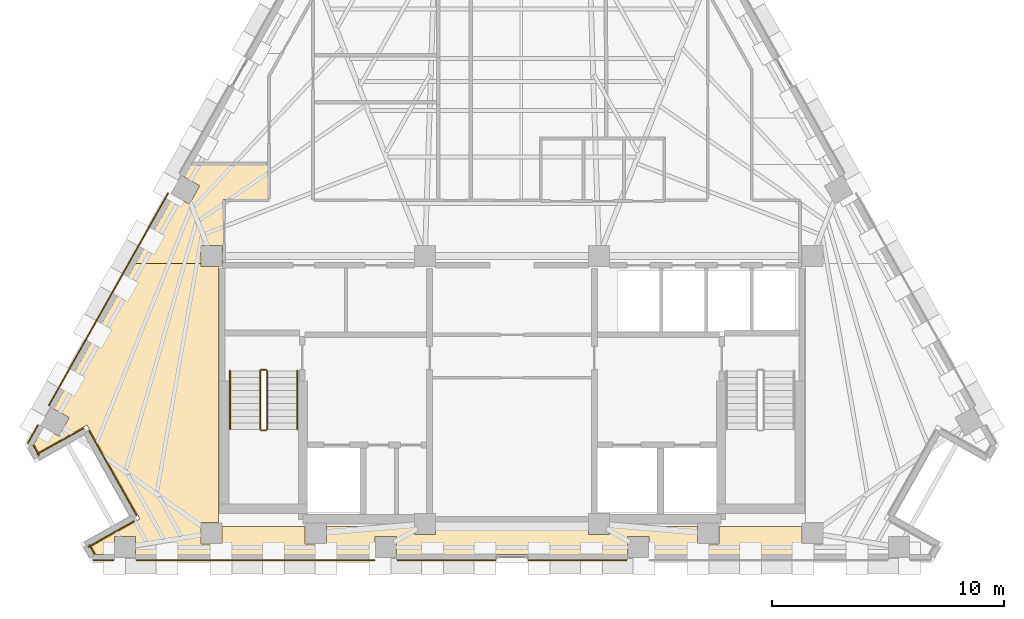
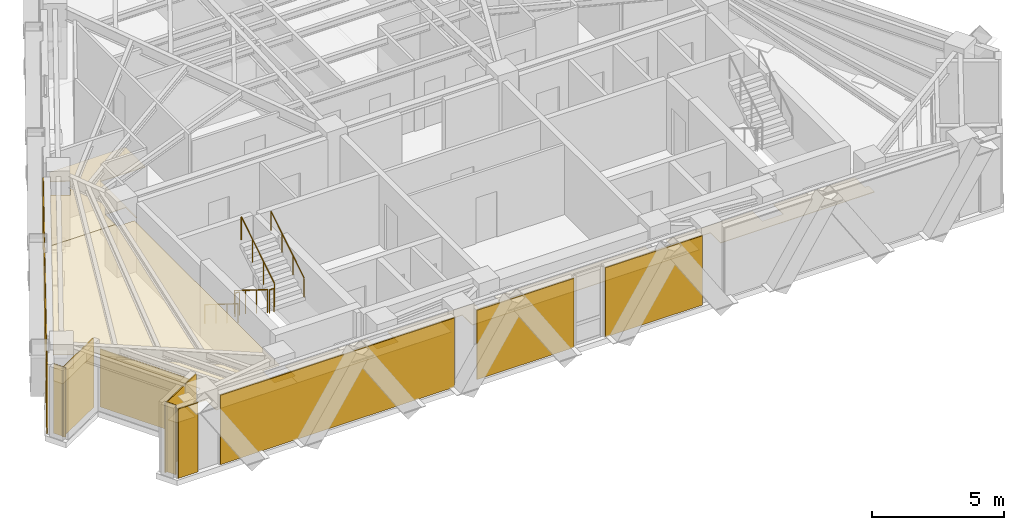
# One storey, part 10 of 12: 14 coverings, 6 railings.
"""IFC4 building model written with IfcOpenShell, lengths in metres."""

from ifc_helpers import new_model, si_unit, direction, frame, origin, origin_2d, place, context, subcontext, project, spatial, polyline, circle, outline, extrude, material, layer, layer_set, type_object, element, save


model = new_model("IFC4")

# Units and contexts
model_context = context("Model", 3, precision=1e-05, world=origin(), true_north=direction((0.0, 1.0)))
body_context = subcontext(model_context, "Body", "Model", "MODEL_VIEW")
ifc_project = project(units=[si_unit("LENGTHUNIT", "METRE"), si_unit("AREAUNIT", "SQUARE_METRE"), si_unit("VOLUMEUNIT", "CUBIC_METRE"), si_unit("PLANEANGLEUNIT", "RADIAN"), si_unit("MASSUNIT", "GRAM", prefix="KILO")], contexts=[model_context])

# Site, building, storey
site_placement = place(None, origin())
site = spatial("IfcSite", under=ifc_project, at=site_placement, CompositionType="ELEMENT")
building_placement = place(site_placement, origin())
building = spatial("IfcBuilding", under=site, at=building_placement, Name="Quenlor Broadcast Tower", CompositionType="ELEMENT")
storey_placement = place(building_placement, frame((0.0, 0.0, 218.39990234375)))
storey = spatial("IfcBuildingStorey", under=building, at=storey_placement, Name="L60", CompositionType="ELEMENT", Elevation=218.39990234375)

# Coverings
ifc_material_1 = material(Name="Acoustic Mineral Fibre Board", Category="other")
ifc_layer_1 = layer(ifc_material_1, 0.02490234375)
ifc_layer_set_1 = layer_set([ifc_layer_1], Name="Acoustic Perforated Mineral Tile Ceiling 25")
covering_type_1 = type_object("IfcCoveringType", Name="Acoustic Perforated Mineral Tile Ceiling 25", PredefinedType="CEILING", material=ifc_layer_set_1)
covering_1_placement = place(storey_placement, frame((0.0, 0.0, 2.375)))
element("IfcCovering", 1, at=covering_1_placement, inside=storey, type_object=covering_type_1, Name="L60 Acoustic Ceiling L60-30", PredefinedType="CEILING", context=body_context, shape_type="SweptSolid", body=[
    extrude(outline(polyline([(-14.572021484375, -2.199462890625), (-13.90283203125, -2.575927734375), (-13.45361328125, -1.777587890625), (-14.123046875, -1.401123046875), (-13.825439453125, -0.872314453125), (-10.5, -0.872314453125), (-10.5, -2.3701171875), (-12.43994140625, -2.3701171875), (-12.43994140625, -5.1201171875), (-12.491943359375, -5.1201171875), (-12.491943359375, -4.342041015625), (-13.407958984375, -4.342041015625), (-13.407958984375, -5.1201171875), (-16.21484375, -5.1201171875), (-14.572021484375, -2.199462890625)])), origin(), (0.0, 0.0, 1.0), 0.025146484375),
])
covering_2_placement = place(storey_placement, frame((0.0, 0.0, 2.375)))
element("IfcCovering", 2, at=covering_2_placement, inside=storey, type_object=covering_type_1, Name="L60 Acoustic Ceiling L60-30-3", PredefinedType="CEILING", context=body_context, shape_type="SweptSolid", body=[
    extrude(outline(polyline([(-20.597900390625, -12.912109375), (-20.191162109375, -12.18896484375), (-19.52197265625, -12.5654296875), (-19.07275390625, -11.76708984375), (-19.7421875, -11.390625), (-16.21484375, -5.1201171875), (-13.407958984375, -5.1201171875), (-13.407958984375, -5.258056640625), (-12.64990234375, -5.258056640625), (-12.64990234375, -16.2919921875), (-13.407958984375, -16.2919921875), (-13.407958984375, -17.2080078125), (-12.64990234375, -17.2080078125), (-12.64990234375, -17.659912109375), (-16.218017578125, -17.659912109375), (-16.218017578125, -16.89208984375), (-17.1337890625, -16.89208984375), (-17.1337890625, -17.659912109375), (-17.927001953125, -17.659912109375), (-18.120849609375, -17.315673828125), (-16.029052734375, -16.138916015625), (-18.30859375, -12.08642578125), (-20.400390625, -13.26318359375), (-20.597900390625, -12.912109375)])), origin(), (0.0, 0.0, 1.0), 0.025146484375),
])
covering_3_placement = place(storey_placement, frame((0.0, 0.0, 2.375)))
element("IfcCovering", 3, at=covering_3_placement, inside=storey, type_object=covering_type_1, Name="L60 Acoustic Ceiling L60-30-5", PredefinedType="CEILING", context=body_context, shape_type="SweptSolid", body=[
    extrude(outline(polyline([(-12.491943359375, -17.2080078125), (-12.491943359375, -16.449951171875), (-8.907958984375, -16.449951171875), (-8.907958984375, -17.2080078125), (-7.991943359375, -17.2080078125), (-7.991943359375, -16.449951171875), (-4.2080078125, -16.449951171875), (-4.2080078125, -16.80810546875), (-3.2919921875, -16.80810546875), (-3.2919921875, -16.449951171875), (3.2919921875, -16.449951171875), (3.2919921875, -16.80810546875), (4.2080078125, -16.80810546875), (4.2080078125, -16.449951171875), (7.991943359375, -16.449951171875), (7.991943359375, -17.2080078125), (8.907958984375, -17.2080078125), (8.907958984375, -16.449951171875), (12.491943359375, -16.449951171875), (12.491943359375, -17.2080078125), (12.64990234375, -17.2080078125), (12.64990234375, -17.659912109375), (5.895751953125, -17.659912109375), (5.895751953125, -16.89208984375), (4.979736328125, -16.89208984375), (4.979736328125, -17.659912109375), (-4.979736328125, -17.659912109375), (-4.979736328125, -16.89208984375), (-5.895751953125, -16.89208984375), (-5.895751953125, -17.659912109375), (-12.64990234375, -17.659912109375), (-12.64990234375, -17.2080078125), (-12.491943359375, -17.2080078125)])), origin(), (0.0, 0.0, 1.0), 0.025146484375),
])
ifc_material_2 = material(Name="Architectural Terracotta Ceramic", Category="masonry")
ifc_layer_2 = layer(ifc_material_2, 0.044921875)
ifc_layer_set_2 = layer_set([ifc_layer_2], Name="Fluted Terracotta Rainscreen Cladding Panel")
covering_type_2 = type_object("IfcCoveringType", Name="Fluted Terracotta Rainscreen Cladding Panel", PredefinedType="CLADDING", material=ifc_layer_set_2)
covering_4_placement = place(storey_placement, frame((0.0, 0.0, 0.02001953125)))
element("IfcCovering", 4, at=covering_4_placement, inside=storey, type_object=covering_type_2, Name="L60 Terracotta Rainscreen Cladding L60-SHD-SS1", PredefinedType="CLADDING", context=body_context, shape_type="SweptSolid", body=[
    extrude(outline(polyline([(-17.160888671875, -17.886962890625), (-18.035888671875, -17.886962890625), (-18.035888671875, -17.931884765625), (-17.160888671875, -17.931884765625), (-17.160888671875, -17.886962890625)])), origin(), (0.0, 0.0, 1.0), 3.2099609375),
])
covering_5_placement = place(storey_placement, frame((0.0, 0.0, 0.02001953125)))
element("IfcCovering", 5, at=covering_5_placement, inside=storey, type_object=covering_type_2, Name="L60 Terracotta Rainscreen Cladding L60-EW-SC", PredefinedType="CLADDING", context=body_context, shape_type="SweptSolid", body=[
    extrude(outline(polyline([(-5.9228515625, -17.89697265625), (-16.19091796875, -17.89697265625), (-16.19091796875, -17.94189453125), (-5.9228515625, -17.94189453125), (-5.9228515625, -17.89697265625)])), origin(), (0.0, 0.0, 1.0), 3.2099609375),
])
covering_6_placement = place(storey_placement, frame((0.0, 0.0, 0.02001953125)))
element("IfcCovering", 6, at=covering_6_placement, inside=storey, type_object=covering_type_2, Name="L60 Terracotta Rainscreen Cladding L60-S-SP1", PredefinedType="CLADDING", context=body_context, shape_type="SweptSolid", body=[
    extrude(outline(polyline([(4.937744140625, -17.89697265625), (0.6923828125, -17.89697265625), (0.6923828125, -17.94189453125), (4.937744140625, -17.94189453125), (4.937744140625, -17.89697265625)])), origin(), (0.0, 0.0, 1.0), 3.2099609375),
])
covering_7_placement = place(storey_placement, frame((0.0, 0.0, 0.02001953125)))
element("IfcCovering", 7, at=covering_7_placement, inside=storey, type_object=covering_type_2, Name="L60 Terracotta Rainscreen Cladding L60-S-SP2", PredefinedType="CLADDING", context=body_context, shape_type="SweptSolid", body=[
    extrude(outline(polyline([(-0.6923828125, -17.89697265625), (-4.937744140625, -17.89697265625), (-4.937744140625, -17.94189453125), (-0.6923828125, -17.94189453125), (-0.6923828125, -17.89697265625)])), origin(), (0.0, 0.0, 1.0), 3.2099609375),
])
covering_8_placement = place(storey_placement, frame((0.0, 0.0, 0.02001953125)))
element("IfcCovering", 8, at=covering_8_placement, inside=storey, type_object=covering_type_2, Name="L60 Terracotta Rainscreen Cladding L60-SHD-NWS0", PredefinedType="CLADDING", context=body_context, shape_type="SweptSolid", body=[
    extrude(outline(polyline([(-20.845458984375, -12.888916015625), (-20.402099609375, -12.10107421875), (-20.44140625, -12.0791015625), (-20.884521484375, -12.866943359375), (-20.845458984375, -12.888916015625)])), origin(), (0.0, 0.0, 1.0), 3.2099609375),
])
covering_9_placement = place(storey_placement, frame((0.0, 0.0, 0.02001953125)))
element("IfcCovering", 9, at=covering_9_placement, inside=storey, type_object=covering_type_2, Name="L60 Terracotta Rainscreen Cladding L60-EW-NWA", PredefinedType="CLADDING", context=body_context, shape_type="SweptSolid", body=[
    extrude(outline(polyline([(-19.935302734375, -11.250732421875), (-14.7919921875, -2.106689453125), (-14.831298828125, -2.084716796875), (-19.974609375, -11.228759765625), (-19.935302734375, -11.250732421875)])), origin(), (0.0, 0.0, 1.0), 3.2099609375),
])
covering_10_placement = place(storey_placement, frame((0.0, 0.0, 0.02001953125)))
element("IfcCovering", 10, at=covering_10_placement, inside=storey, type_object=covering_type_2, Name="L60 Terracotta Rainscreen Cladding L60-CNR-12", PredefinedType="CLADDING", context=body_context, shape_type="SweptSolid", body=[
    extrude(outline(polyline([(-20.64306640625, -12.970458984375), (-20.38623046875, -13.427001953125), (-20.346923828125, -13.405029296875), (-20.60400390625, -12.948486328125), (-20.64306640625, -12.970458984375)])), origin(), (0.0, 0.0, 1.0), 3.2099609375),
])
covering_11_placement = place(storey_placement, frame((0.0, 0.0, 0.02001953125)))
element("IfcCovering", 11, at=covering_11_placement, inside=storey, type_object=covering_type_2, Name="L60 Terracotta Rainscreen Cladding L60-CNR-13", PredefinedType="CLADDING", context=body_context, shape_type="SweptSolid", body=[
    extrude(outline(polyline([(-20.462890625, -13.376220703125), (-18.45849609375, -12.248779296875), (-18.48046875, -12.20947265625), (-20.485107421875, -13.337158203125), (-20.462890625, -13.376220703125)])), origin(), (0.0, 0.0, 1.0), 3.2099609375),
])
covering_12_placement = place(storey_placement, frame((0.0, 0.0, 0.02001953125)))
element("IfcCovering", 12, at=covering_12_placement, inside=storey, type_object=covering_type_2, Name="L60 Terracotta Rainscreen Cladding L60-CNR-14", PredefinedType="CLADDING", context=body_context, shape_type="SweptSolid", body=[
    extrude(outline(polyline([(-18.245361328125, -12.337646484375), (-16.19140625, -15.9892578125), (-16.152099609375, -15.96728515625), (-18.206298828125, -12.315673828125), (-18.245361328125, -12.337646484375)])), origin(), (0.0, 0.0, 1.0), 2.681884765625),
])
covering_13_placement = place(storey_placement, frame((0.0, 0.0, 0.02001953125)))
element("IfcCovering", 13, at=covering_13_placement, inside=storey, type_object=covering_type_2, Name="L60 Terracotta Rainscreen Cladding L60-CNR-15", PredefinedType="CLADDING", context=body_context, shape_type="SweptSolid", body=[
    extrude(outline(polyline([(-16.2802734375, -16.2021484375), (-18.284912109375, -17.329833984375), (-18.262939453125, -17.368896484375), (-16.25830078125, -16.241455078125), (-16.2802734375, -16.2021484375)])), origin(), (0.0, 0.0, 1.0), 3.2099609375),
])
covering_14_placement = place(storey_placement, frame((0.0, 0.0, 0.02001953125)))
element("IfcCovering", 14, at=covering_14_placement, inside=storey, type_object=covering_type_2, Name="L60 Terracotta Rainscreen Cladding L60-CNR-16", PredefinedType="CLADDING", context=body_context, shape_type="SweptSolid", body=[
    extrude(outline(polyline([(-18.234130859375, -17.2529296875), (-17.99853515625, -17.671875), (-17.959228515625, -17.64990234375), (-18.19482421875, -17.23095703125), (-18.234130859375, -17.2529296875)])), origin(), (0.0, 0.0, 1.0), 3.2099609375),
])

# Railings
ifc_material_3 = material(Name="Anodised Aluminium", Category="aluminium")
railing_type_1 = type_object("IfcRailingType", Name="Stainless Aluminium Wall Handrail 900", PredefinedType="HANDRAIL", material=ifc_material_3)
railing_1_placement = place(storey_placement, frame((-12.14990234375, -9.75, 0.175048828125)))
element("IfcRailing", 15, at=railing_1_placement, inside=storey, type_object=railing_type_1, Name="L60 ST-1 stair handrail 1", PredefinedType="HANDRAIL", context=body_context, shape_type="SweptSolid", body=[
    extrude(circle(Radius=0.02392578125, at=origin_2d()), frame((0.0, 0.0, 0.8759765625), z_axis=(0.0, -0.848007534815, 0.529984170421), x_axis=(1.0, 0.0, 0.0)), (0.0, 0.0, 1.0), 2.9716796875),
    extrude(circle(Radius=0.02099609375, at=origin_2d()), origin(), (0.0, 0.0, 1.0), 0.851806640625),
    extrude(circle(Radius=0.02099609375, at=origin_2d()), frame((0.0, -0.840087890625, 0.52490234375)), (0.0, 0.0, 1.0), 0.851806640625),
    extrude(circle(Radius=0.02099609375, at=origin_2d()), frame((0.0, -1.679931640625, 1.050048828125)), (0.0, 0.0, 1.0), 0.851806640625),
    extrude(circle(Radius=0.02099609375, at=origin_2d()), frame((0.0, -2.52001953125, 1.574951171875)), (0.0, 0.0, 1.0), 0.851806640625),
])
railing_2_placement = place(storey_placement, frame((-9.25, -12.27001953125, 1.925048828125)))
element("IfcRailing", 16, at=railing_2_placement, inside=storey, type_object=railing_type_1, Name="L60 ST-1 stair handrail 2", PredefinedType="HANDRAIL", context=body_context, shape_type="SweptSolid", body=[
    extrude(circle(Radius=0.02392578125, at=origin_2d()), frame((0.0, 0.0, 0.8759765625), z_axis=(0.0, 0.848007534815, 0.529984170421), x_axis=(-1.0, 0.0, 0.0)), (0.0, 0.0, 1.0), 2.9716796875),
    extrude(circle(Radius=0.02099609375, at=origin_2d()), origin(), (0.0, 0.0, 1.0), 0.851806640625),
    extrude(circle(Radius=0.02099609375, at=origin_2d()), frame((0.0, 0.840087890625, 0.52490234375)), (0.0, 0.0, 1.0), 0.851806640625),
    extrude(circle(Radius=0.02099609375, at=origin_2d()), frame((0.0, 1.679931640625, 1.050048828125)), (0.0, 0.0, 1.0), 0.851806640625),
    extrude(circle(Radius=0.02099609375, at=origin_2d()), frame((0.0, 2.52001953125, 1.574951171875)), (0.0, 0.0, 1.0), 0.851806640625),
])
ifc_material_4 = material(Name="Steel S355", Category="steel")
railing_type_2 = type_object("IfcRailingType", Name="Tubular Steel S355 Stair Guardrail 1100", PredefinedType="BALUSTRADE", material=ifc_material_4)
railing_3_placement = place(storey_placement, frame((-10.85009765625, -9.75, 0.175048828125)))
element("IfcRailing", 17, at=railing_3_placement, inside=storey, type_object=railing_type_2, Name="L60 ST-1 stair guard 1", PredefinedType="BALUSTRADE", context=body_context, shape_type="SweptSolid", body=[
    extrude(circle(Radius=0.02392578125, at=origin_2d()), frame((0.0, 0.0, 1.076171875), z_axis=(0.0, -0.848007534815, 0.529984170421), x_axis=(1.0, 0.0, 0.0)), (0.0, 0.0, 1.0), 2.9716796875),
    extrude(circle(Radius=0.02099609375, at=origin_2d()), origin(), (0.0, 0.0, 1.0), 1.052001953125),
    extrude(circle(Radius=0.02099609375, at=origin_2d()), frame((0.0, -0.840087890625, 0.52490234375)), (0.0, 0.0, 1.0), 1.052001953125),
    extrude(circle(Radius=0.02099609375, at=origin_2d()), frame((0.0, -1.679931640625, 1.050048828125)), (0.0, 0.0, 1.0), 1.052001953125),
    extrude(circle(Radius=0.02099609375, at=origin_2d()), frame((0.0, -2.52001953125, 1.574951171875)), (0.0, 0.0, 1.0), 1.052001953125),
])
railing_4_placement = place(storey_placement, frame((-10.800048828125, -12.320068359375, 1.75)))
element("IfcRailing", 18, at=railing_4_placement, inside=storey, type_object=railing_type_2, Name="L60 ST-1 stair guard 2", PredefinedType="BALUSTRADE", context=body_context, shape_type="SweptSolid", body=[
    extrude(circle(Radius=0.02392578125, at=origin_2d()), frame((0.0, 0.0, 1.076171875), z_axis=(1.0, 0.0, 0.0), x_axis=(0.0, 1.0, 0.0)), (0.0, 0.0, 1.0), 0.199951171875),
    extrude(circle(Radius=0.02099609375, at=origin_2d()), origin(), (0.0, 0.0, 1.0), 1.052001953125),
    extrude(circle(Radius=0.02099609375, at=origin_2d()), frame((0.199951171875, 0.0, 0.0)), (0.0, 0.0, 1.0), 1.052001953125),
])
railing_5_placement = place(storey_placement, frame((-10.550048828125, -12.27001953125, 1.925048828125)))
element("IfcRailing", 19, at=railing_5_placement, inside=storey, type_object=railing_type_2, Name="L60 ST-1 stair guard 3", PredefinedType="BALUSTRADE", context=body_context, shape_type="SweptSolid", body=[
    extrude(circle(Radius=0.02392578125, at=origin_2d()), frame((0.0, 0.0, 1.076171875), z_axis=(0.0, 0.848007534815, 0.529984170421), x_axis=(-1.0, 0.0, 0.0)), (0.0, 0.0, 1.0), 2.9716796875),
    extrude(circle(Radius=0.02099609375, at=origin_2d()), origin(), (0.0, 0.0, 1.0), 1.052001953125),
    extrude(circle(Radius=0.02099609375, at=origin_2d()), frame((0.0, 0.840087890625, 0.52490234375)), (0.0, 0.0, 1.0), 1.052001953125),
    extrude(circle(Radius=0.02099609375, at=origin_2d()), frame((0.0, 1.679931640625, 1.050048828125)), (0.0, 0.0, 1.0), 1.052001953125),
    extrude(circle(Radius=0.02099609375, at=origin_2d()), frame((0.0, 2.52001953125, 1.574951171875)), (0.0, 0.0, 1.0), 1.052001953125),
])
railing_6_placement = place(storey_placement, frame((-10.800048828125, -9.699951171875, 0.0)))
element("IfcRailing", 20, at=railing_6_placement, inside=storey, type_object=railing_type_2, Name="L60 ST-1 stair guard 4", PredefinedType="BALUSTRADE", context=body_context, shape_type="SweptSolid", body=[
    extrude(circle(Radius=0.02392578125, at=origin_2d()), frame((0.0, 0.0, 1.076171875), z_axis=(1.0, 0.0, 0.0), x_axis=(0.0, 1.0, 0.0)), (0.0, 0.0, 1.0), 0.199951171875),
    extrude(circle(Radius=0.02099609375, at=origin_2d()), origin(), (0.0, 0.0, 1.0), 1.052001953125),
    extrude(circle(Radius=0.02099609375, at=origin_2d()), frame((0.199951171875, 0.0, 0.0)), (0.0, 0.0, 1.0), 1.052001953125),
])

save(model, "model.ifc")
